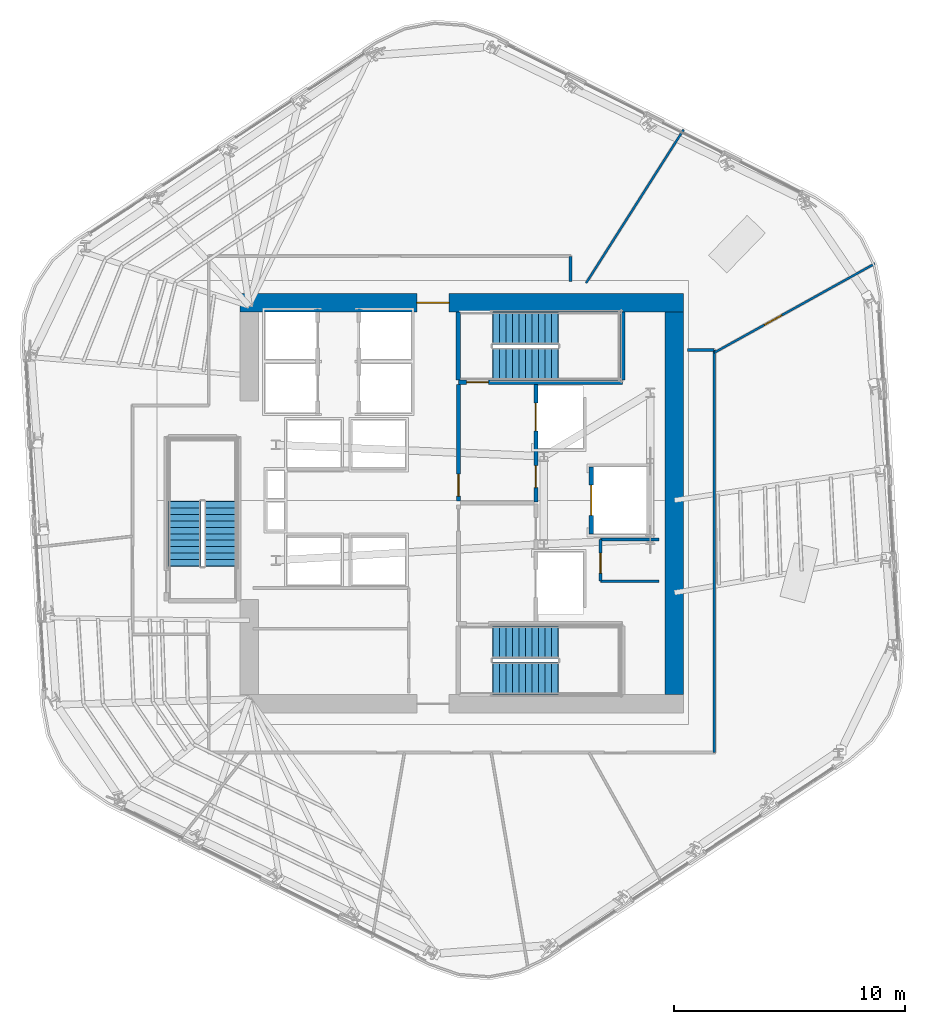
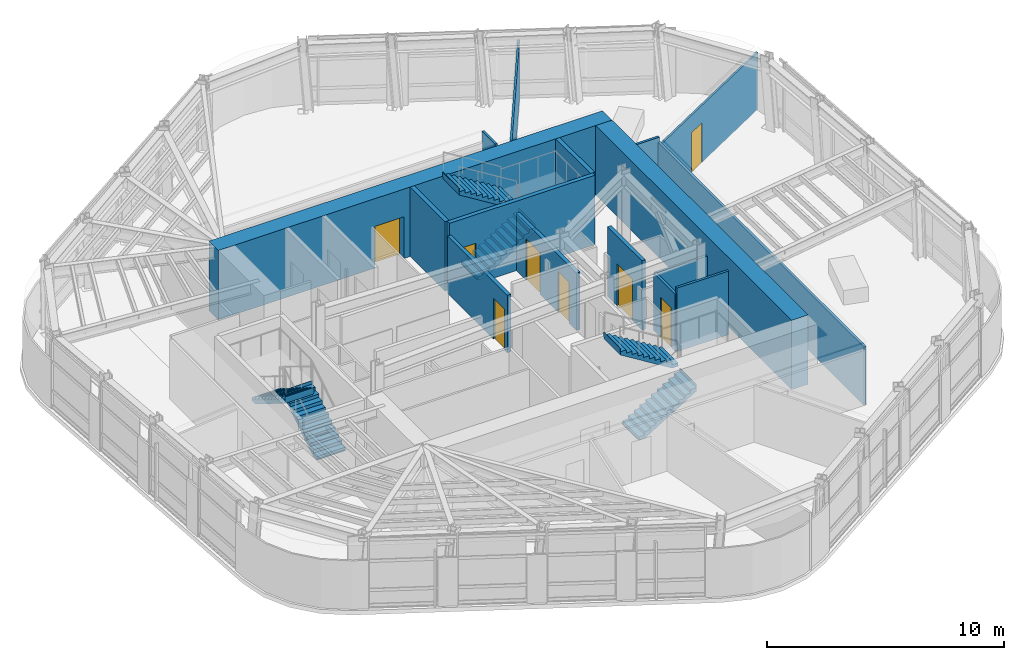
# One storey, part 9 of 15: 16 walls, 8 doors, 6 stair flights, 8 openings, 3 elements without a shape of their own.
"""IFC4 building model written with IfcOpenShell, lengths in metres."""

from ifc_helpers import new_model, si_unit, direction, frame, frame_2d, origin, place, context, subcontext, project, spatial, polyline, rectangle, outline, extrude, material, layer, layer_set, type_object, element, fill, aggregate, save


model = new_model("IFC4")

# Units and contexts
model_context = context("Model", 3, precision=1e-05, world=origin(), true_north=direction((0.0, 1.0)))
body_context = subcontext(model_context, "Body", "Model", "MODEL_VIEW")
ifc_project = project(units=[si_unit("LENGTHUNIT", "METRE"), si_unit("AREAUNIT", "SQUARE_METRE"), si_unit("VOLUMEUNIT", "CUBIC_METRE"), si_unit("PLANEANGLEUNIT", "RADIAN"), si_unit("MASSUNIT", "GRAM", prefix="KILO")], contexts=[model_context])

# Site, building, storey
site_placement = place(None, origin())
site = spatial("IfcSite", under=ifc_project, at=site_placement, CompositionType="ELEMENT")
building_placement = place(site_placement, origin())
building = spatial("IfcBuilding", under=site, at=building_placement, Name="Valkerne Bourse Tower", CompositionType="ELEMENT")
storey_placement = place(building_placement, frame((0.0, 0.0, 166.60009765625)))
storey = spatial("IfcBuildingStorey", under=building, at=storey_placement, Name="L42", CompositionType="ELEMENT", Elevation=166.60009765625)

# Wall, opening, door
ifc_material_1 = material(Name="Concrete C55/67", Category="concrete")
ifc_layer_1 = layer(ifc_material_1, 0.800048828125)
ifc_layer_set_1 = layer_set([ifc_layer_1], Name="Concrete C55/67")
wall_type_1 = type_object("IfcWallType", Name="W-CORE-800", PredefinedType="SHEAR", material=ifc_layer_set_1)
wall_1_placement = place(storey_placement, frame((37.199951171875, 35.550048828125, 0.0), z_axis=(0.0, 0.0, 1.0), x_axis=(1.0, 0.0, 0.0)))
wall_1 = element("IfcWall", 1, at=wall_1_placement, inside=storey, type_object=wall_type_1, Name="L42 Core Shear Wall NORTH", PredefinedType="SHEAR", context=body_context, shape_type="SweptSolid", body=[
    extrude(rectangle(XDim=19.199951171875, YDim=0.800048828125, at=frame_2d((9.60009765625, 0.0))), origin(), (0.0, 0.0, 1.0), 3.579833984375),
])
opening_1_placement = place(wall_1_placement, frame((7.64990234375, 0.0, 0.0)))
opening_1 = element("IfcOpeningElement", 2, at=opening_1_placement, cuts=wall_1, Name="Opening D-PL-1400", PredefinedType="OPENING", context=body_context, shape_type="SweptSolid", body=[
    extrude(rectangle(XDim=1.39990234375, YDim=2.14990234375, at=frame_2d((0.699951171875, 1.074951171875))), frame((0.0, 0.409912109375, 0.0), z_axis=(0.0, -1.0, 0.0), x_axis=(1.0, 0.0, 0.0)), (0.0, 0.0, 1.0), 0.820068359375),
])
ifc_material_2 = material(Name="Galvanised Painted Steel", Category="steel")
door_type_1 = type_object("IfcDoorType", Name="DR-PLT-1400", OperationType="DOUBLE_DOOR_SINGLE_SWING", PredefinedType="DOOR", material=ifc_material_2)
door_1_placement = place(opening_1_placement, origin())
door_1 = element("IfcDoor", 3, at=door_1_placement, inside=storey, type_object=door_type_1, Name="L42 North Passenger Lift Hall Fire Door", OperationType="DOUBLE_DOOR_SINGLE_SWING", OverallHeight=2.14990234375, OverallWidth=1.39990234375, PredefinedType="DOOR", context=body_context, shape_type="SweptSolid", body=[
    extrude(rectangle(XDim=1.39990234375, YDim=2.14990234375, at=frame_2d((0.699951171875, 1.074951171875))), frame((0.0, 0.02490234375, 0.0), z_axis=(0.0, -1.0, 0.0), x_axis=(1.0, 0.0, 0.0)), (0.0, 0.0, 1.0), 0.050048828125),
])
fill(opening_1, door_1)

# Wall
wall_2_placement = place(storey_placement, frame((56.0, 18.60009765625, 0.0), z_axis=(0.0, 0.0, 1.0), x_axis=(0.0, 1.0, 0.0)))
element("IfcWall", 4, at=wall_2_placement, inside=storey, type_object=wall_type_1, Name="L42 Core Shear Wall EAST", PredefinedType="SHEAR", context=body_context, shape_type="SweptSolid", body=[
    extrude(rectangle(XDim=16.5498046875, YDim=0.800048828125, at=frame_2d((8.27490234375, 0.0))), origin(), (0.0, 0.0, 1.0), 3.579833984375),
])

# Wall, opening, door
ifc_material_3 = material(Name="Gypsum Board Steel-Stud Partition", Category="steel")
ifc_layer_2 = layer(ifc_material_3, 0.117919921875)
ifc_layer_set_2 = layer_set([ifc_layer_2], Name="Gypsum Board Steel-Stud Partition")
wall_type_2 = type_object("IfcWallType", Name="W-CORR-140", PredefinedType="PARTITIONING", material=ifc_layer_set_2)
wall_3_placement = place(storey_placement, frame((52.800048828125, 23.5, 0.0), z_axis=(0.0, 0.0, 1.0), x_axis=(0.0, 1.0, 0.0)))
wall_3 = element("IfcWall", 5, at=wall_3_placement, inside=storey, type_object=wall_type_2, Name="L42 Core SE North-Bay West Wall", PredefinedType="PARTITIONING", context=body_context, shape_type="SweptSolid", body=[
    extrude(rectangle(XDim=1.800048828125, YDim=0.117919921875, at=frame_2d((0.89990234375, 0.0))), origin(), (0.0, 0.0, 1.0), 2.9580078125),
])
opening_2_placement = place(wall_3_placement, frame((0.35009765625, 0.0, 0.0)))
opening_2 = element("IfcOpeningElement", 6, at=opening_2_placement, cuts=wall_3, Name="Opening D-WC-900", PredefinedType="OPENING", context=body_context, shape_type="SweptSolid", body=[
    extrude(rectangle(XDim=0.860107421875, YDim=2.050048828125, at=frame_2d((0.43017578125, 1.02490234375))), frame((0.0, 0.06884765625, 0.0), z_axis=(0.0, -1.0, 0.0), x_axis=(1.0, 0.0, 0.0)), (0.0, 0.0, 1.0), 0.137939453125),
])
ifc_material_4 = material(Name="Architectural White Oak Timber", Category="wood")
door_type_2 = type_object("IfcDoorType", Name="DR-WC-900", OperationType="NOTDEFINED", PredefinedType="DOOR", material=ifc_material_4)
door_2_placement = place(opening_2_placement, origin())
door_2 = element("IfcDoor", 7, at=door_2_placement, inside=storey, type_object=door_type_2, Name="L42 Telecom Closet Door", OperationType="SINGLE_SWING_RIGHT", OverallHeight=2.050048828125, OverallWidth=0.860107421875, PredefinedType="DOOR", context=body_context, shape_type="SweptSolid", body=[
    extrude(rectangle(XDim=0.860107421875, YDim=2.050048828125, at=frame_2d((0.43017578125, 1.02490234375))), frame((0.0, 0.02490234375, 0.0), z_axis=(0.0, -1.0, 0.0), x_axis=(1.0, 0.0, 0.0)), (0.0, 0.0, 1.0), 0.050048828125),
])
fill(opening_2, door_2)

# Walls
wall_4_placement = place(storey_placement, frame((52.800048828125, 23.5, 0.0), z_axis=(0.0, 0.0, 1.0), x_axis=(1.0, 0.0, 0.0)))
element("IfcWall", 8, at=wall_4_placement, inside=storey, type_object=wall_type_2, Name="L42 Core SE North-Bay South Wall", PredefinedType="PARTITIONING", context=body_context, shape_type="SweptSolid", body=[
    extrude(rectangle(XDim=2.52001953125, YDim=0.117919921875, at=frame_2d((1.260009765625, 0.0))), origin(), (0.0, 0.0, 1.0), 3.27978515625),
])
wall_5_placement = place(storey_placement, frame((52.800048828125, 25.300048828125, 0.0), z_axis=(0.0, 0.0, 1.0), x_axis=(1.0, 0.0, 0.0)))
element("IfcWall", 9, at=wall_5_placement, inside=storey, type_object=wall_type_2, Name="L42 Core SE North-Bay North Wall", PredefinedType="PARTITIONING", context=body_context, shape_type="SweptSolid", body=[
    extrude(rectangle(XDim=2.52001953125, YDim=0.117919921875, at=frame_2d((1.260009765625, 0.0))), origin(), (0.0, 0.0, 1.0), 2.9580078125),
])
wall_6_placement = place(storey_placement, frame((51.5, 37.56005859375, 0.0), z_axis=(0.0, 0.0, 1.0), x_axis=(0.0, -1.0, 0.0)))
element("IfcWall", 10, at=wall_6_placement, inside=storey, type_object=wall_type_2, Name="L42 Corridor Enclosure Wall", PredefinedType="PARTITIONING", context=body_context, shape_type="SweptSolid", body=[
    extrude(rectangle(XDim=1.10009765625, YDim=0.117919921875, at=frame_2d((0.550048828125, 0.0))), origin(), (0.0, 0.0, 1.0), 3.27978515625),
])
wall_7_placement = place(storey_placement, frame((56.56005859375, 33.5, 0.0), z_axis=(0.0, 0.0, 1.0), x_axis=(1.0, 0.0, 0.0)))
element("IfcWall", 11, at=wall_7_placement, inside=storey, type_object=wall_type_2, Name="L42 Corridor Enclosure Wall", PredefinedType="PARTITIONING", context=body_context, shape_type="SweptSolid", body=[
    extrude(rectangle(XDim=1.159912109375, YDim=0.117919921875, at=frame_2d((0.580078125, 0.0))), origin(), (0.0, 0.0, 1.0), 3.27978515625),
])
wall_8_placement = place(storey_placement, frame((57.719970703125, 33.5, 0.0), z_axis=(0.0, 0.0, 1.0), x_axis=(0.0, -1.0, 0.0)))
element("IfcWall", 12, at=wall_8_placement, inside=storey, type_object=wall_type_2, Name="L42 Corridor Enclosure Wall", PredefinedType="PARTITIONING", context=body_context, shape_type="SweptSolid", body=[
    extrude(rectangle(XDim=17.419921875, YDim=0.117919921875, at=frame_2d((8.7099609375, 0.0))), origin(), (0.0, 0.0, 1.0), 3.021240234375),
])

# Wall, opening, door
ifc_material_5 = material(Name="Gypsum Fire-Rated Shaftwall", Category="gypsum")
ifc_layer_3 = layer(ifc_material_5, 0.179931640625)
ifc_layer_set_3 = layer_set([ifc_layer_3], Name="Gypsum Fire-Rated Shaftwall")
wall_type_3 = type_object("IfcWallType", Name="W-FSAE-180", PredefinedType="PARTITIONING", material=ifc_layer_set_3)
wall_9_placement = place(storey_placement, frame((46.64990234375, 26.9599609375, 0.0), z_axis=(0.0, 0.0, 1.0), x_axis=(0.0, 1.0, 0.0)))
wall_9 = element("IfcWall", 13, at=wall_9_placement, inside=storey, type_object=wall_type_3, Name="L42 FSAE-2 Lobby West Fire Wall", PredefinedType="PARTITIONING", context=body_context, shape_type="SweptSolid", body=[
    extrude(rectangle(XDim=5.0400390625, YDim=0.179931640625, at=frame_2d((2.52001953125, 0.0))), origin(), (0.0, 0.0, 1.0), 2.9580078125),
])
opening_3_placement = place(wall_9_placement, frame((0.219970703125, 0.0, 0.0)))
opening_3 = element("IfcOpeningElement", 14, at=opening_3_placement, cuts=wall_9, Name="Opening D-FS-950", PredefinedType="OPENING", context=body_context, shape_type="SweptSolid", body=[
    extrude(rectangle(XDim=0.949951171875, YDim=2.10009765625, at=frame_2d((0.47509765625, 1.050048828125))), frame((0.0, 0.099853515625, 0.0), z_axis=(0.0, -1.0, 0.0), x_axis=(1.0, 0.0, 0.0)), (0.0, 0.0, 1.0), 0.199951171875),
])
door_type_3 = type_object("IfcDoorType", Name="DR-FSAE-950", OperationType="NOTDEFINED", PredefinedType="DOOR", material=ifc_material_2)
door_3_placement = place(opening_3_placement, origin())
door_3 = element("IfcDoor", 15, at=door_3_placement, inside=storey, type_object=door_type_3, Name="L42 FSAE-2 Hall Link Fire Door", OperationType="SINGLE_SWING_RIGHT", OverallHeight=2.10009765625, OverallWidth=0.949951171875, PredefinedType="DOOR", context=body_context, shape_type="SweptSolid", body=[
    extrude(rectangle(XDim=0.949951171875, YDim=2.10009765625, at=frame_2d((0.47509765625, 1.050048828125))), frame((0.0, 0.02490234375, 0.0), z_axis=(0.0, -1.0, 0.0), x_axis=(1.0, 0.0, 0.0)), (0.0, 0.0, 1.0), 0.050048828125),
])
fill(opening_3, door_3)

# Wall, openings, doors
wall_10_placement = place(storey_placement, frame((50.0, 26.919921875, 0.0), z_axis=(0.0, 0.0, 1.0), x_axis=(0.0, 1.0, 0.0)))
wall_10 = element("IfcWall", 16, at=wall_10_placement, inside=storey, type_object=wall_type_3, Name="L42 FSAE-2 Lobby & Shaft Front Wall", PredefinedType="PARTITIONING", context=body_context, shape_type="SweptSolid", body=[
    extrude(rectangle(XDim=5.080078125, YDim=0.179931640625, at=frame_2d((2.5400390625, 0.0))), origin(), (0.0, 0.0, 1.0), 2.9580078125),
])
opening_4_placement = place(wall_10_placement, frame((3.080078125, 0.0, 0.0)))
opening_4 = element("IfcOpeningElement", 17, at=opening_4_placement, cuts=wall_10, Name="Opening LD-1200", PredefinedType="OPENING", context=body_context, shape_type="SweptSolid", body=[
    extrude(rectangle(XDim=1.199951171875, YDim=2.14990234375, at=frame_2d((0.60009765625, 1.074951171875))), frame((0.0, 0.099853515625, 0.0), z_axis=(0.0, -1.0, 0.0), x_axis=(1.0, 0.0, 0.0)), (0.0, 0.0, 1.0), 0.199951171875),
])
opening_5_placement = place(wall_10_placement, frame((0.6298828125, 0.0, 0.0)))
opening_5 = element("IfcOpeningElement", 18, at=opening_5_placement, cuts=wall_10, Name="Opening D-FS-950", PredefinedType="OPENING", context=body_context, shape_type="SweptSolid", body=[
    extrude(rectangle(XDim=0.949951171875, YDim=2.10009765625, at=frame_2d((0.47509765625, 1.050048828125))), frame((0.0, 0.099853515625, 0.0), z_axis=(0.0, -1.0, 0.0), x_axis=(1.0, 0.0, 0.0)), (0.0, 0.0, 1.0), 0.199951171875),
])
door_4_placement = place(opening_5_placement, origin())
door_4 = element("IfcDoor", 19, at=door_4_placement, inside=storey, type_object=door_type_3, Name="L42 FSAE-2 Lobby Corridor Fire Door", OperationType="SINGLE_SWING_RIGHT", OverallHeight=2.10009765625, OverallWidth=0.949951171875, PredefinedType="DOOR", context=body_context, shape_type="SweptSolid", body=[
    extrude(rectangle(XDim=0.949951171875, YDim=2.10009765625, at=frame_2d((0.47509765625, 1.050048828125))), frame((0.0, 0.02490234375, 0.0), z_axis=(0.0, -1.0, 0.0), x_axis=(1.0, 0.0, 0.0)), (0.0, 0.0, 1.0), 0.050048828125),
])
fill(opening_5, door_4)
ifc_material_6 = material(Name="Stainless Steel AISI 316", Category="steel")
door_type_4 = type_object("IfcDoorType", Name="DR-LIFT-1200", OperationType="DOUBLE_DOOR_SLIDING", PredefinedType="DOOR", material=ifc_material_6)
door_5_placement = place(opening_4_placement, origin())
door_5 = element("IfcDoor", 20, at=door_5_placement, inside=storey, type_object=door_type_4, Name="L42 FSAE-2 Firefighting Lift Landing Door", OperationType="DOUBLE_DOOR_SLIDING", OverallHeight=2.14990234375, OverallWidth=1.199951171875, PredefinedType="DOOR", context=body_context, shape_type="SweptSolid", body=[
    extrude(rectangle(XDim=1.199951171875, YDim=2.14990234375, at=frame_2d((0.60009765625, 1.074951171875))), frame((0.0, 0.02490234375, 0.0), z_axis=(0.0, -1.0, 0.0), x_axis=(1.0, 0.0, 0.0)), (0.0, 0.0, 1.0), 0.050048828125),
])
fill(opening_4, door_5)

# Wall, opening, door
ifc_material_7 = material(Name="CMU Blockwork Masonry 200mm", Category="masonry")
ifc_layer_4 = layer(ifc_material_7, 0.179931640625)
ifc_layer_set_4 = layer_set([ifc_layer_4], Name="CMU Blockwork Masonry 200mm")
wall_type_4 = type_object("IfcWallType", Name="W-LFT-180", PredefinedType="SOLIDWALL", material=ifc_layer_set_4)
wall_11_placement = place(storey_placement, frame((52.39990234375, 25.550048828125, 0.0), z_axis=(0.0, 0.0, 1.0), x_axis=(0.0, 1.0, 0.0)))
wall_11 = element("IfcWall", 21, at=wall_11_placement, inside=storey, type_object=wall_type_4, Name="L42 Service Lift SV-1 Front Wall", PredefinedType="SOLIDWALL", context=body_context, shape_type="SweptSolid", body=[
    extrude(rectangle(XDim=2.89990234375, YDim=0.179931640625, at=frame_2d((1.449951171875, 0.0))), origin(), (0.0, 0.0, 1.0), 3.579833984375),
])
opening_6_placement = place(wall_11_placement, frame((0.800048828125, 0.0, 0.0)))
opening_6 = element("IfcOpeningElement", 22, at=opening_6_placement, cuts=wall_11, Name="Opening LD-1300", PredefinedType="OPENING", context=body_context, shape_type="SweptSolid", body=[
    extrude(rectangle(XDim=1.300048828125, YDim=2.14990234375, at=frame_2d((0.64990234375, 1.074951171875))), frame((0.0, 0.099853515625, 0.0), z_axis=(0.0, -1.0, 0.0), x_axis=(1.0, 0.0, 0.0)), (0.0, 0.0, 1.0), 0.199951171875),
])
door_type_5 = type_object("IfcDoorType", Name="DR-LIFT-1300", OperationType="DOUBLE_DOOR_SLIDING", PredefinedType="DOOR", material=ifc_material_6)
door_6_placement = place(opening_6_placement, origin())
door_6 = element("IfcDoor", 23, at=door_6_placement, inside=storey, type_object=door_type_5, Name="L42 Service Lift SV-1 Landing Door", OperationType="DOUBLE_DOOR_SLIDING", OverallHeight=2.14990234375, OverallWidth=1.300048828125, PredefinedType="DOOR", context=body_context, shape_type="SweptSolid", body=[
    extrude(rectangle(XDim=1.300048828125, YDim=2.14990234375, at=frame_2d((0.64990234375, 1.074951171875))), frame((0.0, 0.02490234375, 0.0), z_axis=(0.0, -1.0, 0.0), x_axis=(1.0, 0.0, 0.0)), (0.0, 0.0, 1.0), 0.050048828125),
])
fill(opening_6, door_6)

ifc_layer_5 = layer(ifc_material_3, 0.092041015625)
ifc_layer_set_5 = layer_set([ifc_layer_5], Name="Gypsum Board Steel-Stud Partition")
wall_type_5 = type_object("IfcWallType", Name="W-PART-115", PredefinedType="PARTITIONING", material=ifc_layer_set_5)
wall_12_placement = place(storey_placement, frame((57.72509765625, 33.39013671875, 0.0), z_axis=(0.0, 0.0, 1.0), x_axis=(0.874564380858, 0.484909418072, 0.0)))
wall_12 = element("IfcWall", 24, at=wall_12_placement, inside=storey, type_object=wall_type_5, Name="L42 Suite Partition P04", PredefinedType="PARTITIONING", context=body_context, shape_type="SweptSolid", body=[
    extrude(rectangle(XDim=7.94287109375, YDim=0.092041015625, at=frame_2d((3.971435546875, 0.0))), origin(), (0.0, 0.0, 1.0), 2.9423828125),
])
opening_7_placement = place(wall_12_placement, frame((2.47900390625, 0.0, 0.0)))
opening_7 = element("IfcOpeningElement", 25, at=opening_7_placement, cuts=wall_12, Name="Opening D-WC-900", PredefinedType="OPENING", context=body_context, shape_type="SweptSolid", body=[
    extrude(rectangle(XDim=0.860107421875, YDim=2.050048828125, at=frame_2d((0.43017578125, 1.02490234375))), frame((0.0, 0.055908203125, 0.0), z_axis=(0.0, -1.0, 0.0), x_axis=(1.0, 0.0, 0.0)), (0.0, 0.0, 1.0), 0.112060546875),
])
door_7_placement = place(opening_7_placement, origin())
door_7 = element("IfcDoor", 26, at=door_7_placement, inside=storey, type_object=door_type_2, Name="L42 L42 Executive Advisory Suite Office 5 Suite Door", OperationType="SINGLE_SWING_LEFT", OverallHeight=2.050048828125, OverallWidth=0.860107421875, PredefinedType="DOOR", context=body_context, shape_type="SweptSolid", body=[
    extrude(rectangle(XDim=0.860107421875, YDim=2.050048828125, at=frame_2d((0.43017578125, 1.02490234375))), frame((0.0, 0.02490234375, 0.0), z_axis=(0.0, -1.0, 0.0), x_axis=(1.0, 0.0, 0.0)), (0.0, 0.0, 1.0), 0.050048828125),
])
fill(opening_7, door_7)

# Wall
wall_13_placement = place(storey_placement, frame((52.174560546875, 36.39990234375, 0.0), z_axis=(0.0, 0.0, 1.0), x_axis=(0.536423857022, 0.843948722149, 0.0)))
element("IfcWall", 27, at=wall_13_placement, inside=storey, type_object=wall_type_5, Name="L42 Suite Partition P05", PredefinedType="PARTITIONING", context=body_context, shape_type="SweptSolid", body=[
    extrude(rectangle(XDim=7.871337890625, YDim=0.092041015625, at=frame_2d((3.935546875, 0.0))), origin(), (0.0, 0.0, 1.0), 2.9423828125),
])

# Wall, opening, door
ifc_material_8 = material(Name="Concrete C40/50", Category="concrete")
ifc_layer_6 = layer(ifc_material_8, 0.199951171875)
ifc_layer_set_6 = layer_set([ifc_layer_6], Name="Concrete C40/50")
wall_type_6 = type_object("IfcWallType", Name="W-SHF-200", PredefinedType="SHEAR", material=ifc_layer_set_6)
wall_14_placement = place(storey_placement, frame((46.64990234375, 32.10009765625, 0.0), z_axis=(0.0, 0.0, 1.0), x_axis=(1.0, 0.0, 0.0)))
wall_14 = element("IfcWall", 28, at=wall_14_placement, inside=storey, type_object=wall_type_6, Name="L42 Exit Stair ST-2 Structural Shaft Wall South", PredefinedType="SHEAR", context=body_context, shape_type="SweptSolid", body=[
    extrude(rectangle(XDim=7.10009765625, YDim=0.199951171875, at=frame_2d((3.550048828125, 0.0))), origin(), (0.0, 0.0, 1.0), 3.579833984375),
])
opening_8_placement = place(wall_14_placement, frame((0.35009765625, 0.0, 0.0)))
opening_8 = element("IfcOpeningElement", 29, at=opening_8_placement, cuts=wall_14, Name="Opening D-ST-950", PredefinedType="OPENING", context=body_context, shape_type="SweptSolid", body=[
    extrude(rectangle(XDim=0.949951171875, YDim=2.10009765625, at=frame_2d((0.47509765625, 1.050048828125))), frame((0.0, 0.10986328125, 0.0), z_axis=(0.0, -1.0, 0.0), x_axis=(1.0, 0.0, 0.0)), (0.0, 0.0, 1.0), 0.219970703125),
])
door_type_6 = type_object("IfcDoorType", Name="DR-STAIR-950", OperationType="NOTDEFINED", PredefinedType="DOOR", material=ifc_material_2)
door_8_placement = place(opening_8_placement, origin())
door_8 = element("IfcDoor", 30, at=door_8_placement, inside=storey, type_object=door_type_6, Name="L42 Exit Stair ST-2 Door", OperationType="SINGLE_SWING_LEFT", OverallHeight=2.10009765625, OverallWidth=0.949951171875, PredefinedType="DOOR", context=body_context, shape_type="SweptSolid", body=[
    extrude(rectangle(XDim=0.949951171875, YDim=2.10009765625, at=frame_2d((0.47509765625, 1.050048828125))), frame((0.0, 0.02490234375, 0.0), z_axis=(0.0, -1.0, 0.0), x_axis=(1.0, 0.0, 0.0)), (0.0, 0.0, 1.0), 0.050048828125),
])
fill(opening_8, door_8)

# Walls
for number, where, z_axis, x_axis, name in (
    (31, (46.64990234375, 32.199951171875, 0.0), (0.0, 0.0, 1.0), (0.0, 1.0, 0.0), "L42 Exit Stair ST-2 Structural Shaft Wall West"),
    (32, (53.75, 32.199951171875, 0.0), (0.0, 0.0, 1.0), (0.0, 1.0, 0.0), "L42 Exit Stair ST-2 Structural Shaft Wall East"),
):
    element("IfcWall", number, at=place(storey_placement, frame(where, z_axis=z_axis, x_axis=x_axis)), inside=storey, type_object=wall_type_6, Name=name, PredefinedType="SHEAR", context=body_context, shape_type="SweptSolid", body=[
        extrude(rectangle(XDim=2.949951171875, YDim=0.199951171875, at=frame_2d((1.47509765625, 0.0))), origin(), (0.0, 0.0, 1.0), 3.579833984375),
    ])

# Stair, stair flights
stair_type = type_object("IfcStairType", Name="ST-CORE-1400", PredefinedType="HALF_TURN_STAIR", material=ifc_material_8)
stair_1_placement = place(storey_placement, origin())
stair_1 = element("IfcStair", 33, at=stair_1_placement, inside=storey, type_object=stair_type, Name="L42 ST-1", PredefinedType="HALF_TURN_STAIR")
stair_flight_type = type_object("IfcStairFlightType", Name="STF-CORE-1400", PredefinedType="STRAIGHT", material=ifc_material_8)
stair_flight_1_placement = place(storey_placement, frame((48.14990234375, 19.300048828125, 0.0), z_axis=(0.0, 0.0, 1.0), x_axis=(1.0, 0.0, 0.0)))
stair_flight_1 = element("IfcStairFlight", 34, at=stair_flight_1_placement, type_object=stair_flight_type, Name="ST-1 flight 1", NumberOfRisers=11, NumberOfTreads=10, PredefinedType="STRAIGHT", RiserHeight=0.172727273, TreadLength=0.28, context=body_context, shape_type="SweptSolid", body=[
    extrude(outline(polyline([(-0.02001953125, 0.0), (-0.02001953125, 0.044921875), (0.0, 0.044921875), (0.0, 0.172607421875), (0.280029296875, 0.172607421875), (0.280029296875, 0.345458984375), (0.56005859375, 0.345458984375), (0.56005859375, 0.51806640625), (0.840087890625, 0.51806640625), (0.840087890625, 0.69091796875), (1.1201171875, 0.69091796875), (1.1201171875, 0.863525390625), (1.39990234375, 0.863525390625), (1.39990234375, 1.036376953125), (1.679931640625, 1.036376953125), (1.679931640625, 1.208984375), (1.9599609375, 1.208984375), (1.9599609375, 1.3818359375), (2.239990234375, 1.3818359375), (2.239990234375, 1.554443359375), (2.52001953125, 1.554443359375), (2.52001953125, 1.727294921875), (2.800048828125, 1.727294921875), (2.800048828125, 1.89990234375), (2.820068359375, 1.89990234375), (2.820068359375, 1.780029296875), (2.800048828125, 1.551025390625), (0.285400390625, 0.0), (-0.02001953125, 0.0)])), frame((0.0, 0.699951171875, 0.0), z_axis=(0.0, -1.0, 0.0), x_axis=(1.0, 0.0, 0.0)), (0.0, 0.0, 1.0), 1.39990234375),
])
stair_flight_2_placement = place(storey_placement, frame((50.949951171875, 20.85009765625, 1.89990234375), z_axis=(0.0, 0.0, 1.0), x_axis=(-1.0, 0.0, 0.0)))
stair_flight_2 = element("IfcStairFlight", 35, at=stair_flight_2_placement, type_object=stair_flight_type, Name="ST-1 flight 2", NumberOfRisers=11, NumberOfTreads=10, PredefinedType="STRAIGHT", RiserHeight=0.172727273, TreadLength=0.28, context=body_context, shape_type="SweptSolid", body=[
    extrude(outline(polyline([(-0.02001953125, 0.0), (-0.02001953125, 0.044921875), (0.0, 0.044921875), (0.0, 0.172607421875), (0.280029296875, 0.172607421875), (0.280029296875, 0.345458984375), (0.56005859375, 0.345458984375), (0.56005859375, 0.51806640625), (0.840087890625, 0.51806640625), (0.840087890625, 0.69091796875), (1.1201171875, 0.69091796875), (1.1201171875, 0.863525390625), (1.39990234375, 0.863525390625), (1.39990234375, 1.036376953125), (1.679931640625, 1.036376953125), (1.679931640625, 1.208984375), (1.9599609375, 1.208984375), (1.9599609375, 1.3818359375), (2.239990234375, 1.3818359375), (2.239990234375, 1.554443359375), (2.52001953125, 1.554443359375), (2.52001953125, 1.727294921875), (2.800048828125, 1.727294921875), (2.800048828125, 1.89990234375), (2.820068359375, 1.89990234375), (2.820068359375, 1.780029296875), (2.800048828125, 1.551025390625), (0.285400390625, 0.0), (-0.02001953125, 0.0)])), frame((0.0, 0.699951171875, 0.0), z_axis=(0.0, -1.0, 0.0), x_axis=(1.0, 0.0, 0.0)), (0.0, 0.0, 1.0), 1.39990234375),
])
aggregate(stair_1, [stair_flight_1, stair_flight_2])

stair_2_placement = place(storey_placement, origin())
stair_2 = element("IfcStair", 36, at=stair_2_placement, inside=storey, type_object=stair_type, Name="L42 ST-2", PredefinedType="HALF_TURN_STAIR")
stair_flight_3_placement = place(storey_placement, frame((48.14990234375, 32.89990234375, 0.0), z_axis=(0.0, 0.0, 1.0), x_axis=(1.0, 0.0, 0.0)))
stair_flight_3 = element("IfcStairFlight", 37, at=stair_flight_3_placement, type_object=stair_flight_type, Name="ST-2 flight 1", NumberOfRisers=11, NumberOfTreads=10, PredefinedType="STRAIGHT", RiserHeight=0.172727273, TreadLength=0.28, context=body_context, shape_type="SweptSolid", body=[
    extrude(outline(polyline([(-0.02001953125, 0.0), (-0.02001953125, 0.044921875), (0.0, 0.044921875), (0.0, 0.172607421875), (0.280029296875, 0.172607421875), (0.280029296875, 0.345458984375), (0.56005859375, 0.345458984375), (0.56005859375, 0.51806640625), (0.840087890625, 0.51806640625), (0.840087890625, 0.69091796875), (1.1201171875, 0.69091796875), (1.1201171875, 0.863525390625), (1.39990234375, 0.863525390625), (1.39990234375, 1.036376953125), (1.679931640625, 1.036376953125), (1.679931640625, 1.208984375), (1.9599609375, 1.208984375), (1.9599609375, 1.3818359375), (2.239990234375, 1.3818359375), (2.239990234375, 1.554443359375), (2.52001953125, 1.554443359375), (2.52001953125, 1.727294921875), (2.800048828125, 1.727294921875), (2.800048828125, 1.89990234375), (2.820068359375, 1.89990234375), (2.820068359375, 1.780029296875), (2.800048828125, 1.551025390625), (0.285400390625, 0.0), (-0.02001953125, 0.0)])), frame((0.0, 0.699951171875, 0.0), z_axis=(0.0, -1.0, 0.0), x_axis=(1.0, 0.0, 0.0)), (0.0, 0.0, 1.0), 1.39990234375),
])
stair_flight_4_placement = place(storey_placement, frame((50.949951171875, 34.449951171875, 1.89990234375), z_axis=(0.0, 0.0, 1.0), x_axis=(-1.0, 0.0, 0.0)))
stair_flight_4 = element("IfcStairFlight", 38, at=stair_flight_4_placement, type_object=stair_flight_type, Name="ST-2 flight 2", NumberOfRisers=11, NumberOfTreads=10, PredefinedType="STRAIGHT", RiserHeight=0.172727273, TreadLength=0.28, context=body_context, shape_type="SweptSolid", body=[
    extrude(outline(polyline([(-0.02001953125, 0.0), (-0.02001953125, 0.044921875), (0.0, 0.044921875), (0.0, 0.172607421875), (0.280029296875, 0.172607421875), (0.280029296875, 0.345458984375), (0.56005859375, 0.345458984375), (0.56005859375, 0.51806640625), (0.840087890625, 0.51806640625), (0.840087890625, 0.69091796875), (1.1201171875, 0.69091796875), (1.1201171875, 0.863525390625), (1.39990234375, 0.863525390625), (1.39990234375, 1.036376953125), (1.679931640625, 1.036376953125), (1.679931640625, 1.208984375), (1.9599609375, 1.208984375), (1.9599609375, 1.3818359375), (2.239990234375, 1.3818359375), (2.239990234375, 1.554443359375), (2.52001953125, 1.554443359375), (2.52001953125, 1.727294921875), (2.800048828125, 1.727294921875), (2.800048828125, 1.89990234375), (2.820068359375, 1.89990234375), (2.820068359375, 1.780029296875), (2.800048828125, 1.551025390625), (0.285400390625, 0.0), (-0.02001953125, 0.0)])), frame((0.0, 0.699951171875, 0.0), z_axis=(0.0, -1.0, 0.0), x_axis=(1.0, 0.0, 0.0)), (0.0, 0.0, 1.0), 1.39990234375),
])
aggregate(stair_2, [stair_flight_3, stair_flight_4])

stair_3_placement = place(storey_placement, origin())
stair_3 = element("IfcStair", 39, at=stair_3_placement, inside=storey, type_object=stair_type, Name="L42 ST-3", PredefinedType="HALF_TURN_STAIR")
stair_flight_5_placement = place(storey_placement, frame((36.35009765625, 24.14990234375, 0.0), z_axis=(0.0, 0.0, 1.0), x_axis=(0.0, 1.0, 0.0)))
stair_flight_5 = element("IfcStairFlight", 40, at=stair_flight_5_placement, type_object=stair_flight_type, Name="ST-3 flight 1", NumberOfRisers=11, NumberOfTreads=10, PredefinedType="STRAIGHT", RiserHeight=0.172727273, TreadLength=0.28, context=body_context, shape_type="SweptSolid", body=[
    extrude(outline(polyline([(-0.02001953125, 0.0), (-0.02001953125, 0.044921875), (0.0, 0.044921875), (0.0, 0.172607421875), (0.280029296875, 0.172607421875), (0.280029296875, 0.345458984375), (0.56005859375, 0.345458984375), (0.56005859375, 0.51806640625), (0.840087890625, 0.51806640625), (0.840087890625, 0.69091796875), (1.1201171875, 0.69091796875), (1.1201171875, 0.863525390625), (1.39990234375, 0.863525390625), (1.39990234375, 1.036376953125), (1.679931640625, 1.036376953125), (1.679931640625, 1.208984375), (1.9599609375, 1.208984375), (1.9599609375, 1.3818359375), (2.239990234375, 1.3818359375), (2.239990234375, 1.554443359375), (2.52001953125, 1.554443359375), (2.52001953125, 1.727294921875), (2.800048828125, 1.727294921875), (2.800048828125, 1.89990234375), (2.820068359375, 1.89990234375), (2.820068359375, 1.780029296875), (2.800048828125, 1.551025390625), (0.285400390625, 0.0), (-0.02001953125, 0.0)])), frame((0.0, 0.699951171875, 0.0), z_axis=(0.0, -1.0, 0.0), x_axis=(1.0, 0.0, 0.0)), (0.0, 0.0, 1.0), 1.39990234375),
])
stair_flight_6_placement = place(storey_placement, frame((34.800048828125, 26.949951171875, 1.89990234375), z_axis=(0.0, 0.0, 1.0), x_axis=(0.0, -1.0, 0.0)))
stair_flight_6 = element("IfcStairFlight", 41, at=stair_flight_6_placement, type_object=stair_flight_type, Name="ST-3 flight 2", NumberOfRisers=11, NumberOfTreads=10, PredefinedType="STRAIGHT", RiserHeight=0.172727273, TreadLength=0.28, context=body_context, shape_type="SweptSolid", body=[
    extrude(outline(polyline([(-0.02001953125, 0.0), (-0.02001953125, 0.044921875), (0.0, 0.044921875), (0.0, 0.172607421875), (0.280029296875, 0.172607421875), (0.280029296875, 0.345458984375), (0.56005859375, 0.345458984375), (0.56005859375, 0.51806640625), (0.840087890625, 0.51806640625), (0.840087890625, 0.69091796875), (1.1201171875, 0.69091796875), (1.1201171875, 0.863525390625), (1.39990234375, 0.863525390625), (1.39990234375, 1.036376953125), (1.679931640625, 1.036376953125), (1.679931640625, 1.208984375), (1.9599609375, 1.208984375), (1.9599609375, 1.3818359375), (2.239990234375, 1.3818359375), (2.239990234375, 1.554443359375), (2.52001953125, 1.554443359375), (2.52001953125, 1.727294921875), (2.800048828125, 1.727294921875), (2.800048828125, 1.89990234375), (2.820068359375, 1.89990234375), (2.820068359375, 1.780029296875), (2.800048828125, 1.551025390625), (0.285400390625, 0.0), (-0.02001953125, 0.0)])), frame((0.0, 0.699951171875, 0.0), z_axis=(0.0, -1.0, 0.0), x_axis=(1.0, 0.0, 0.0)), (0.0, 0.0, 1.0), 1.39990234375),
])
aggregate(stair_3, [stair_flight_5, stair_flight_6])

save(model, "model.ifc")
